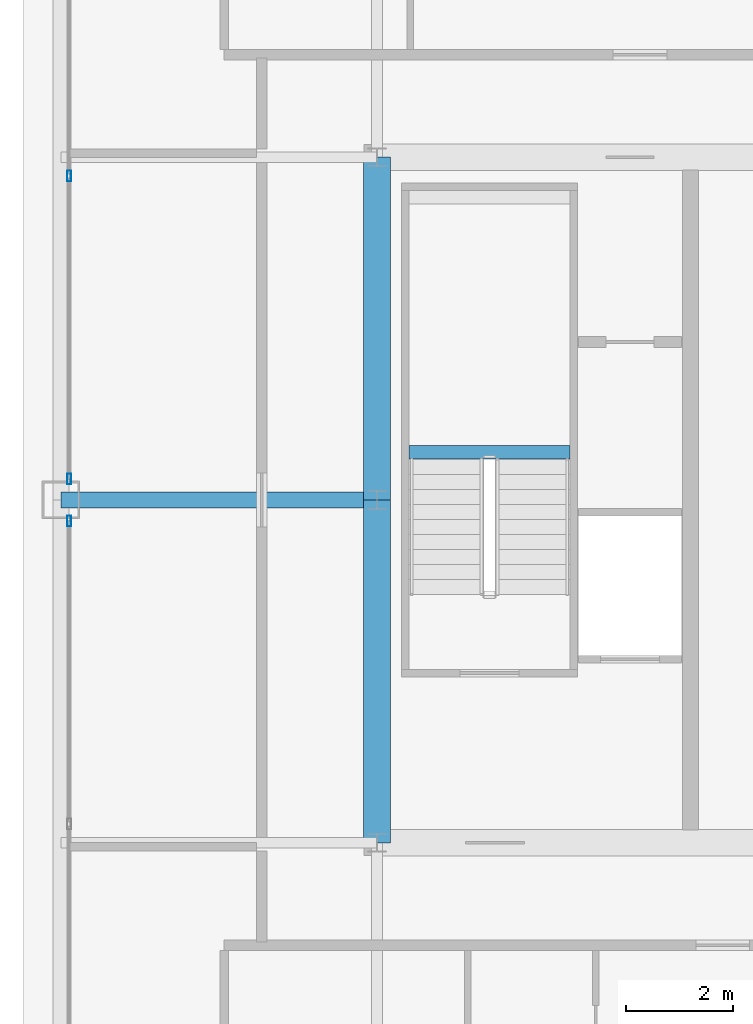
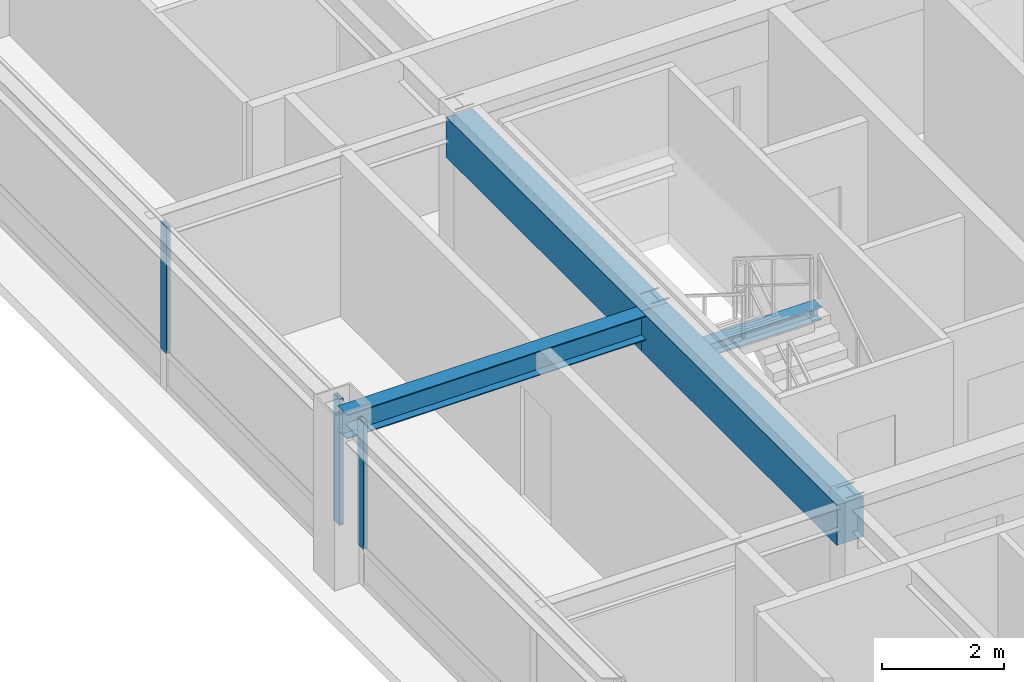
# One storey, part 11 of 34: 4 beams, 3 members, 2 elements without a shape of their own.
"""IFC4 building model written with IfcOpenShell, lengths in metres."""

from ifc_helpers import new_model, si_unit, direction, frame, origin, origin_2d, place, context, subcontext, project, spatial, rectangle, hollow_rectangle, i_section, extrude, source, transform, mapped, material, layer, layer_set, material_profile, profile_set, type_object, element, aggregate, save


model = new_model("IFC4")

# Units and contexts
model_context = context("Model", 3, precision=1e-05, world=origin(), true_north=direction((0.0, 1.0)))
body_context = subcontext(model_context, "Body", "Model", "MODEL_VIEW")
ifc_project = project(units=[si_unit("LENGTHUNIT", "METRE"), si_unit("AREAUNIT", "SQUARE_METRE"), si_unit("VOLUMEUNIT", "CUBIC_METRE"), si_unit("PLANEANGLEUNIT", "RADIAN"), si_unit("MASSUNIT", "GRAM", prefix="KILO"), si_unit("THERMODYNAMICTEMPERATUREUNIT", "KELVIN"), si_unit("POWERUNIT", "WATT")], contexts=[model_context])

# Site, building, storey
site_placement = place(None, origin())
site = spatial("IfcSite", under=ifc_project, at=site_placement, CompositionType="ELEMENT")
building_placement = place(site_placement, origin())
building = spatial("IfcBuilding", under=site, at=building_placement, Name="Yuzanri Waterfront Tower", CompositionType="ELEMENT")
storey_placement = place(building_placement, frame((0.0, 0.0, 325.199951171875)))
storey = spatial("IfcBuildingStorey", under=building, at=storey_placement, Name="L87", CompositionType="ELEMENT", Elevation=325.199951171875)

# Beams
ifc_material_1 = material(Name="Concrete C50", Category="concrete")
ifc_material_profile_1 = material_profile(ifc_material_1, rectangle(XDim=0.5, YDim=0.800048828125, at=origin_2d()), Name="RC 500x800")
ifc_profile_set_1 = profile_set([ifc_material_profile_1], Name="Concrete C50")
beam_type_1 = type_object("IfcBeamType", Name="Core Coupling Lintel Concrete C50 500x800", PredefinedType="LINTEL", material=ifc_profile_set_1)
shared_shape_1 = source(origin(), body_context, "Body", "SweptSolid", [
    extrude(rectangle(XDim=0.5, YDim=0.800048828125, at=origin_2d()), origin(), (0.0, 0.0, 1.0), 6.400146484375),
])
beam_1_placement = place(storey_placement, frame((23.800048828125, 19.39990234375, 2.880126953125), z_axis=(0.0, 1.0, 0.0), x_axis=(-1.0, 0.0, 0.0)))
element("IfcBeam", 1, at=beam_1_placement, inside=storey, type_object=beam_type_1, Name="L87 Core Tie Beam CW1", PredefinedType="LINTEL", context=body_context, shape_type="MappedRepresentation", body=[
    mapped(shared_shape_1, transform((0.0, 0.0, 0.0), scale=1.0)),
])
shared_shape_2 = source(origin(), body_context, "Body", "SweptSolid", [
    extrude(rectangle(XDim=0.5, YDim=0.800048828125, at=origin_2d()), origin(), (0.0, 0.0, 1.0), 6.39990234375),
])
beam_2_placement = place(storey_placement, frame((23.800048828125, 25.800048828125, 2.880126953125), z_axis=(0.0, 1.0, 0.0), x_axis=(-1.0, 0.0, 0.0)))
element("IfcBeam", 2, at=beam_2_placement, inside=storey, type_object=beam_type_1, Name="L87 Core Tie Beam CW2", PredefinedType="LINTEL", context=body_context, shape_type="MappedRepresentation", body=[
    mapped(shared_shape_2, transform((0.0, 0.0, 0.0), scale=1.0)),
])
ifc_material_2 = material(Name="Steel Q355B", Category="steel")
ifc_material_profile_2 = material_profile(ifc_material_2, i_section(OverallWidth=0.300048828125, OverallDepth=0.488037109375, WebThickness=0.010986328125, FlangeThickness=0.01806640625, at=origin_2d()), Name="HM 488x300x11x18")
ifc_profile_set_2 = profile_set([ifc_material_profile_2], Name="Steel Q355B")
beam_type_2 = type_object("IfcBeamType", Name="Primary Floor Girder Q355B HM 488x300", PredefinedType="BEAM", material=ifc_profile_set_2)
shared_shape_3 = source(origin(), body_context, "Body", "SweptSolid", [
    extrude(i_section(OverallWidth=0.300048828125, OverallDepth=0.488037109375, WebThickness=0.010986328125, FlangeThickness=0.01806640625, at=origin_2d()), origin(), (0.0, 0.0, 1.0), 5.900146484375),
])
beam_3_placement = place(storey_placement, frame((23.800048828125, 25.800048828125, 3.0361328125), z_axis=(-1.0, 0.0, 0.0), x_axis=(0.0, -1.0, 0.0)))
element("IfcBeam", 3, at=beam_3_placement, inside=storey, type_object=beam_type_2, Name="L87 West Grid Girder", PredefinedType="BEAM", context=body_context, shape_type="MappedRepresentation", body=[
    mapped(shared_shape_3, transform((0.0, 0.0, 0.0), scale=1.0)),
])

# Curtain wall, member
ifc_material_3 = material(Name="Anodized Architectural Bronze", Category="metal")
ifc_layer = layer(ifc_material_3, 0.159912109375)
ifc_layer_set = layer_set([ifc_layer], Name="Anodized Architectural Bronze")
curtain_wall_type = type_object("IfcCurtainWallType", Name="Anodized Bronze High-Rise Penthouse High-Wind Unitized Curtain Wall 6900", PredefinedType="NOTDEFINED", material=ifc_layer_set)
curtain_wall_1_placement = place(storey_placement, origin())
curtain_wall_1 = element("IfcCurtainWall", 4, at=curtain_wall_1_placement, inside=storey, type_object=curtain_wall_type, Name="L87 Curtain Wall CW-L87-WL", PredefinedType="NOTDEFINED")
ifc_material_4 = material(Name="Anodized Architectural Bronze", Category="metal")
ifc_material_profile_3 = material_profile(ifc_material_4, hollow_rectangle(XDim=0.074951171875, YDim=0.199951171875, WallThickness=0.00390625, at=origin_2d()), Name="CWM 75x200")
ifc_profile_set_3 = profile_set([ifc_material_profile_3], Name="Anodized Architectural Bronze")
member_type = type_object("IfcMemberType", Name="Anodized Bronze Primary Curtain-Wall Mullion 75x200", PredefinedType="MULLION", material=ifc_profile_set_3)
shared_shape_4 = source(origin(), body_context, "Body", "SweptSolid", [
    extrude(hollow_rectangle(XDim=0.074951171875, YDim=0.199951171875, WallThickness=0.00390625, at=origin_2d()), origin(), (0.0, 0.0, 1.0), 2.52392578125),
])
member_1_placement = place(storey_placement, frame((18.050048828125, 25.409912109375, 0.756103515625), z_axis=(0.0, 0.0, 1.0), x_axis=(1.0, 0.0, 0.0)))
member_1 = element("IfcMember", 5, at=member_1_placement, type_object=member_type, Name="CW-L87-WL Upper Mullion 02", PredefinedType="MULLION", context=body_context, shape_type="MappedRepresentation", body=[
    mapped(shared_shape_4, transform((0.0, 0.0, 0.0), scale=1.0)),
])
aggregate(curtain_wall_1, [member_1])

# Curtain wall, members
curtain_wall_2_placement = place(storey_placement, origin())
curtain_wall_2 = element("IfcCurtainWall", 6, at=curtain_wall_2_placement, inside=storey, type_object=curtain_wall_type, Name="L87 Curtain Wall CW-L87-WR", PredefinedType="NOTDEFINED")
member_2_placement = place(storey_placement, frame((18.050048828125, 26.18994140625, 0.756103515625), z_axis=(0.0, 0.0, 1.0), x_axis=(1.0, 0.0, 0.0)))
member_2 = element("IfcMember", 7, at=member_2_placement, type_object=member_type, Name="CW-L87-WR Upper Mullion 00", PredefinedType="MULLION", context=body_context, shape_type="MappedRepresentation", body=[
    mapped(shared_shape_4, transform((0.0, 0.0, 0.0), scale=1.0)),
])
member_3_placement = place(storey_placement, frame((18.050048828125, 31.85009765625, 0.756103515625), z_axis=(0.0, 0.0, 1.0), x_axis=(1.0, 0.0, 0.0)))
member_3 = element("IfcMember", 8, at=member_3_placement, type_object=member_type, Name="CW-L87-WR Upper Mullion 01", PredefinedType="MULLION", context=body_context, shape_type="MappedRepresentation", body=[
    mapped(shared_shape_4, transform((0.0, 0.0, 0.0), scale=1.0)),
])
aggregate(curtain_wall_2, [member_2, member_3])

# Beam
ifc_material_5 = material(Name="Steel Q355B", Category="steel")
ifc_material_profile_4 = material_profile(ifc_material_5, i_section(OverallWidth=0.25, OverallDepth=0.25, WebThickness=0.009033203125, FlangeThickness=0.013916015625, at=origin_2d()), Name="HW 250x250x9x14")
ifc_profile_set_4 = profile_set([ifc_material_profile_4], Name="Steel Q355B")
beam_type_3 = type_object("IfcBeamType", Name="Stair Landing Support Beam Q355B HW 250x250", PredefinedType="BEAM", material=ifc_profile_set_4)
shared_shape_5 = source(origin(), body_context, "Body", "SweptSolid", [
    extrude(i_section(OverallWidth=0.25, OverallDepth=0.25, WebThickness=0.009033203125, FlangeThickness=0.013916015625, at=origin_2d()), origin(), (0.0, 0.0, 1.0), 3.0),
])
beam_4_placement = place(storey_placement, frame((24.39990234375, 26.68994140625, 1.425048828125), z_axis=(1.0, 0.0, 0.0), x_axis=(0.0, 1.0, 0.0)))
element("IfcBeam", 9, at=beam_4_placement, inside=storey, type_object=beam_type_3, Name="L87 Stair Landing Support Beam ST-01-L87-L1-1", PredefinedType="BEAM", context=body_context, shape_type="MappedRepresentation", body=[
    mapped(shared_shape_5, transform((0.0, 0.0, 0.0), scale=1.0)),
])

save(model, "model.ifc")
